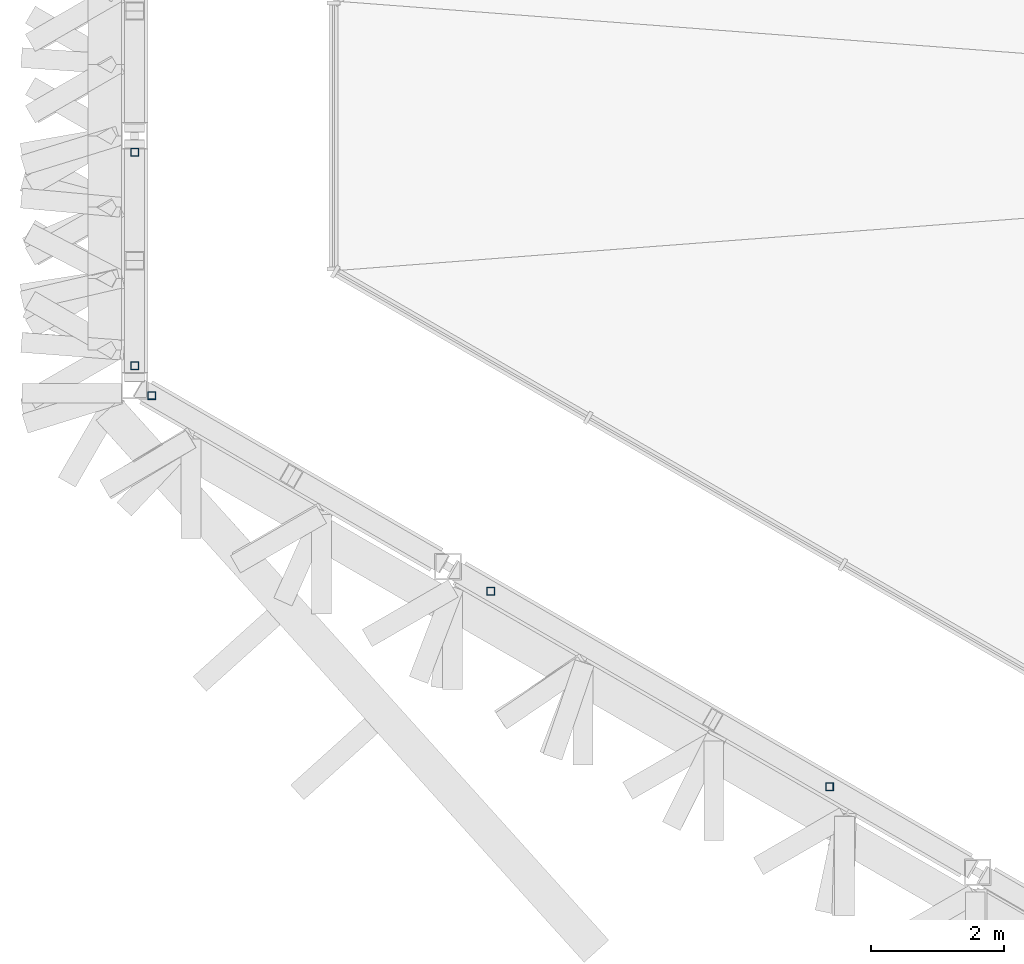
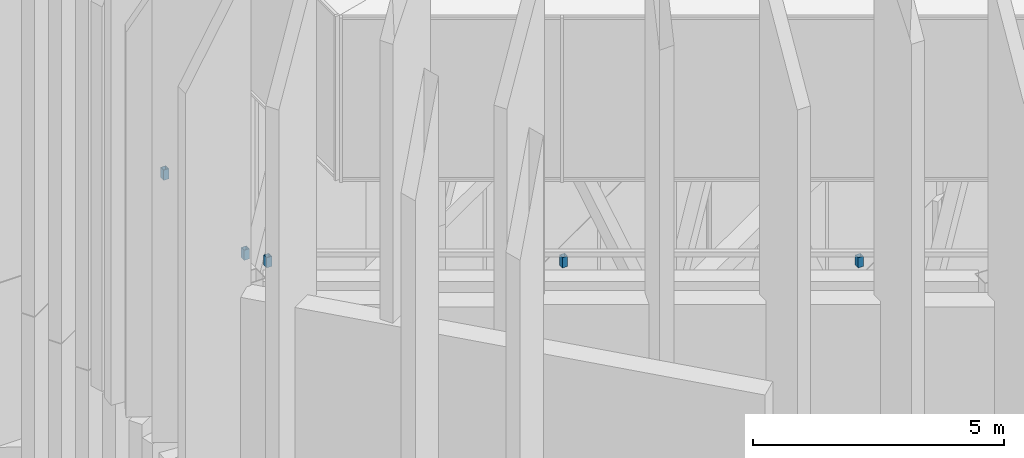
# One storey, part 19 of 45: 5 members.
"""IFC4 building model written with IfcOpenShell, lengths in metres."""

from ifc_helpers import new_model, si_unit, direction, frame, origin, origin_2d, place, context, subcontext, project, spatial, hollow_rectangle, extrude, material, material_profile, profile_set, type_object, element, save


model = new_model("IFC4")

# Units and contexts
model_context = context("Model", 3, precision=1e-05, world=origin(), true_north=direction((0.0, 1.0)))
body_context = subcontext(model_context, "Body", "Model", "MODEL_VIEW")
ifc_project = project(units=[si_unit("LENGTHUNIT", "METRE"), si_unit("AREAUNIT", "SQUARE_METRE"), si_unit("VOLUMEUNIT", "CUBIC_METRE"), si_unit("PLANEANGLEUNIT", "RADIAN"), si_unit("MASSUNIT", "GRAM", prefix="KILO")], contexts=[model_context])

# Site, building, storey
site_placement = place(None, origin())
site = spatial("IfcSite", under=ifc_project, at=site_placement, CompositionType="ELEMENT")
building_placement = place(site_placement, origin())
building = spatial("IfcBuilding", under=site, at=building_placement, Name="Jabali Bay Hotel Tower and Convention Centre", CompositionType="ELEMENT")
storey_placement = place(building_placement, frame((0.0, 0.0, 322.39990234375)))
storey = spatial("IfcBuildingStorey", under=building, at=storey_placement, Name="Crown", CompositionType="ELEMENT", Elevation=322.39990234375)

# Members
ifc_material = material(Name="Steel Q355B", Category="steel")
ifc_material_profile = material_profile(ifc_material, hollow_rectangle(XDim=0.1201171875, YDim=0.1201171875, WallThickness=0.008056640625, at=origin_2d()), Name="BMU rail post")
ifc_profile_set = profile_set([ifc_material_profile], Name="Steel Q355B")
member_type = type_object("IfcMemberType", Name="BMU rail post", PredefinedType="USERDEFINED", material=ifc_profile_set)
for number, where, z_axis, x_axis, name in (
    (1, (45.225830078125, 79.75, 28.35009765625), (0.0, 0.0, 1.0), (1.0, 0.0, 0.0), "BMU rail post 4.2"),
    (2, (45.225830078125, 76.53369140625, 28.35009765625), (0.0, 0.0, 1.0), (1.0, 0.0, 0.0), "BMU rail post 4.3"),
    (3, (45.485595703125, 76.083740234375, 28.35009765625), (0.0, 0.0, 1.0), (1.0, 0.0, 0.0), "BMU rail post 5.1"),
    (4, (50.595703125, 73.133544921875, 28.35009765625), (0.0, 0.0, 1.0), (1.0, 0.0, 0.0), "BMU rail post 5.2"),
    (5, (55.70556640625, 70.18310546875, 28.35009765625), (0.0, 0.0, 1.0), (1.0, 0.0, 0.0), "BMU rail post 5.3"),
):
    element("IfcMember", number, at=place(storey_placement, frame(where, z_axis=z_axis, x_axis=x_axis)), inside=storey, type_object=member_type, Name=name, ObjectType="BMU RAIL", PredefinedType="USERDEFINED", context=body_context, shape_type="SweptSolid", body=[
        extrude(hollow_rectangle(XDim=0.1201171875, YDim=0.1201171875, WallThickness=0.008056640625, at=origin_2d()), origin(), (0.0, 0.0, 1.0), 0.25),
    ])

save(model, "model.ifc")
